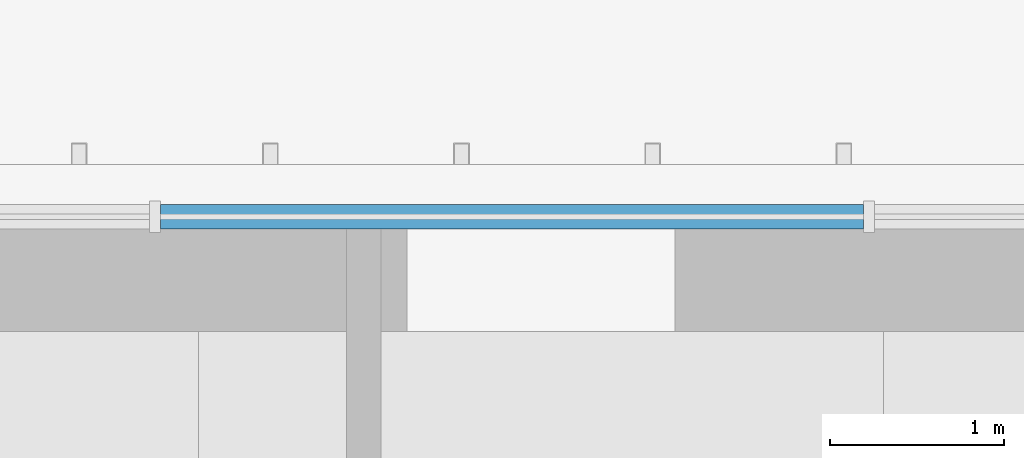
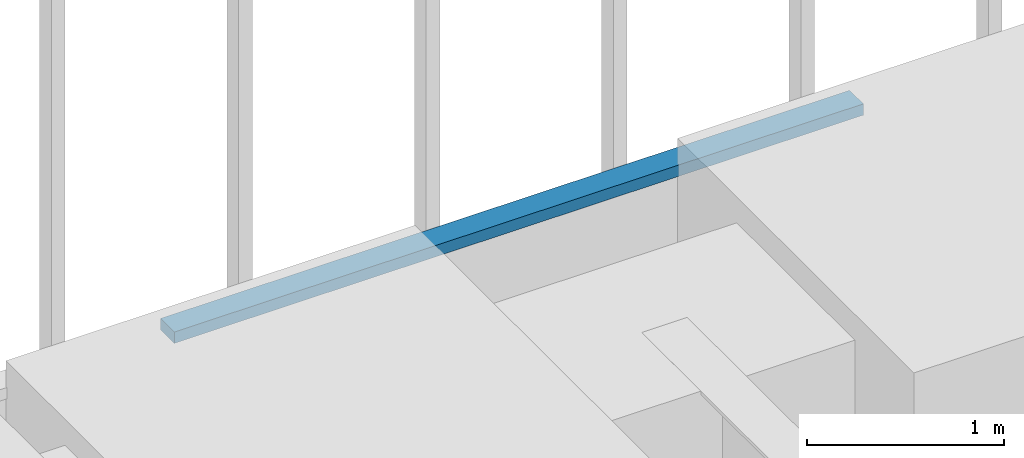
# One storey, part 167 of 238: 1 member, 1 element without a shape of its own.
"""IFC4 building model written with IfcOpenShell, lengths in metres."""

from ifc_helpers import new_model, si_unit, direction, frame, origin, origin_2d, place, context, subcontext, project, spatial, rectangle, extrude, material, material_profile, profile_set, type_object, element, aggregate, save


model = new_model("IFC4")

# Units and contexts
model_context = context("Model", 3, precision=1e-05, world=origin(), true_north=direction((0.0, 1.0)))
body_context = subcontext(model_context, "Body", "Model", "MODEL_VIEW")
ifc_project = project(units=[si_unit("LENGTHUNIT", "METRE"), si_unit("AREAUNIT", "SQUARE_METRE"), si_unit("VOLUMEUNIT", "CUBIC_METRE"), si_unit("PLANEANGLEUNIT", "RADIAN"), si_unit("MASSUNIT", "GRAM", prefix="KILO")], contexts=[model_context])

# Site, building, storey
site_placement = place(None, origin())
site = spatial("IfcSite", under=ifc_project, at=site_placement, CompositionType="ELEMENT")
building_placement = place(site_placement, origin())
building = spatial("IfcBuilding", under=site, at=building_placement, Name="Sandreach Pilgrim Tower", CompositionType="ELEMENT")
storey_placement = place(building_placement, frame((0.0, 0.0, 96.800048828125)))
storey = spatial("IfcBuildingStorey", under=building, at=storey_placement, Name="L23", CompositionType="ELEMENT", Elevation=96.800048828125)

# Curtain wall, member
ifc_material_1 = material(Name="Aluminium framed curtain wall", Category="aluminium")
curtain_wall_type = type_object("IfcCurtainWallType", Name="Hotel tower curtain wall", PredefinedType="NOTDEFINED", material=ifc_material_1)
curtain_wall_placement = place(storey_placement, origin())
curtain_wall = element("IfcCurtainWall", 1, at=curtain_wall_placement, inside=storey, type_object=curtain_wall_type, Name="CW-2 L23 N", PredefinedType="NOTDEFINED")
ifc_material_2 = material(Name="Aluminium extrusion", Category="aluminium")
ifc_material_profile = material_profile(ifc_material_2, rectangle(XDim=0.139892578125, YDim=0.070068359375, at=origin_2d()), Name="CW-2T 140X70")
ifc_profile_set = profile_set([ifc_material_profile], Name="Aluminium extrusion")
member_type = type_object("IfcMemberType", Name="CW-2 transom", PredefinedType="USERDEFINED", material=ifc_profile_set)
member_placement = place(storey_placement, frame((-6.1279296875, 22.493896484375, 3.60498046875), z_axis=(1.0, 0.0, 0.0), x_axis=(0.0, 1.0, 0.0)))
member = element("IfcMember", 2, at=member_placement, type_object=member_type, Name="CW-2 head transom 4", ObjectType="TRANSOM", PredefinedType="USERDEFINED", context=body_context, shape_type="SweptSolid", body=[
    extrude(rectangle(XDim=0.139892578125, YDim=0.070068359375, at=origin_2d()), origin(), (0.0, 0.0, 1.0), 4.0419921875),
])
aggregate(curtain_wall, [member])

save(model, "model.ifc")
